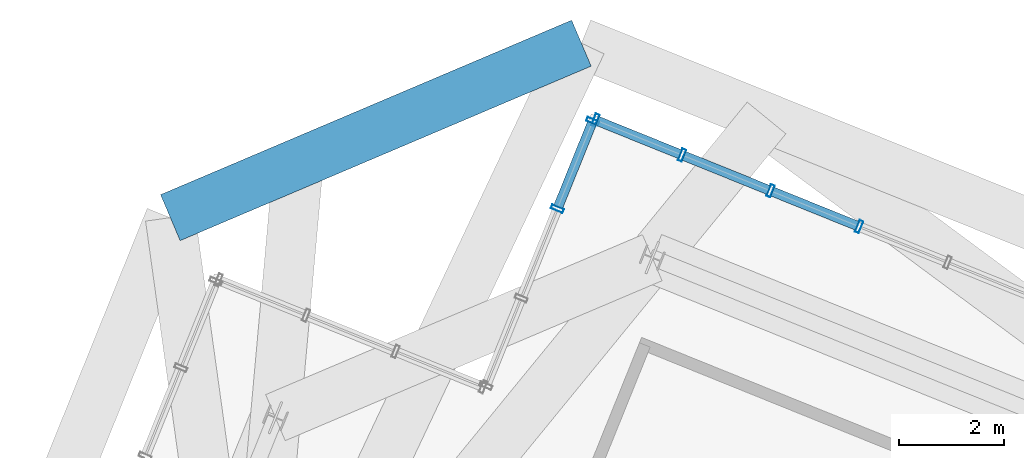
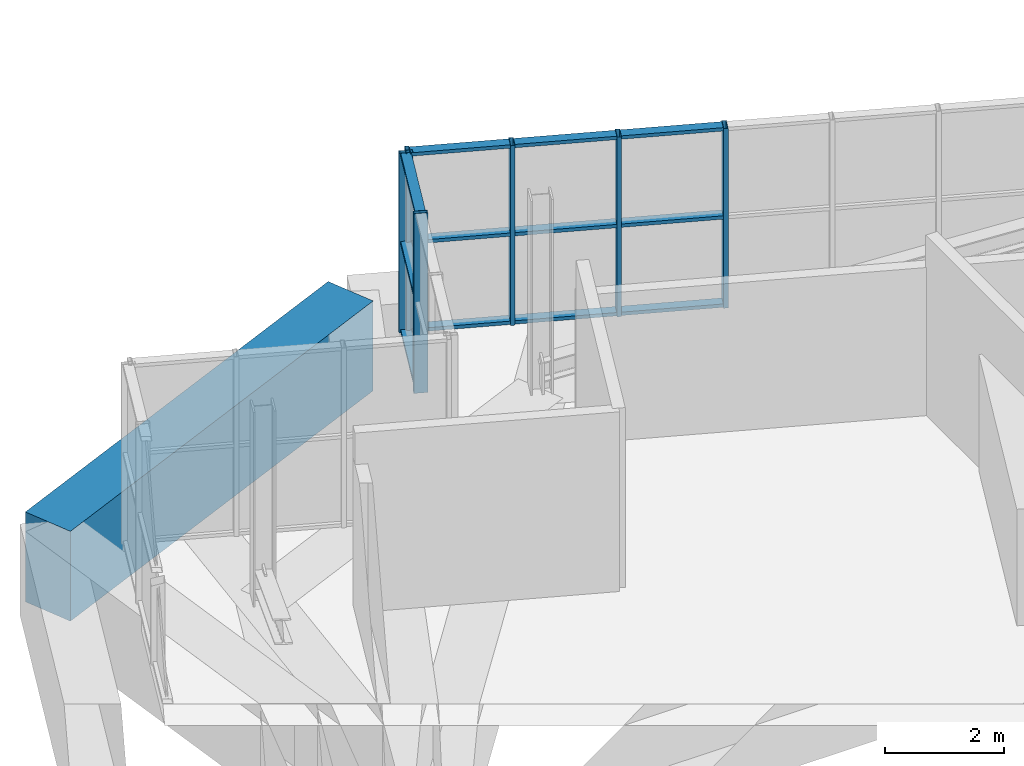
# One storey, part 23 of 35: 18 members, 1 beam, 2 elements without a shape of their own.
"""IFC4 building model written with IfcOpenShell, lengths in metres."""

from ifc_helpers import new_model, si_unit, direction, frame, origin, origin_2d, place, context, subcontext, project, spatial, rectangle, hollow_rectangle, extrude, source, transform, mapped, material, layer, layer_set, material_profile, profile_set, type_object, element, aggregate, save


model = new_model("IFC4")

# Units and contexts
model_context = context("Model", 3, precision=1e-05, world=origin(), true_north=direction((0.0, 1.0)))
body_context = subcontext(model_context, "Body", "Model", "MODEL_VIEW")
ifc_project = project(units=[si_unit("LENGTHUNIT", "METRE"), si_unit("AREAUNIT", "SQUARE_METRE"), si_unit("VOLUMEUNIT", "CUBIC_METRE"), si_unit("PLANEANGLEUNIT", "RADIAN"), si_unit("MASSUNIT", "GRAM", prefix="KILO"), si_unit("THERMODYNAMICTEMPERATUREUNIT", "KELVIN")], contexts=[model_context])

# Site, building, storey
site_placement = place(None, origin())
site = spatial("IfcSite", under=ifc_project, at=site_placement, CompositionType="ELEMENT")
building_placement = place(site_placement, origin())
building = spatial("IfcBuilding", under=site, at=building_placement, Name="Kosmvard Interchange Tower", CompositionType="ELEMENT")
storey_placement = place(building_placement, frame((0.0, 0.0, 321.60009765625)))
storey = spatial("IfcBuildingStorey", under=building, at=storey_placement, Name="L79", CompositionType="ELEMENT", Elevation=321.60009765625)

# Beam
ifc_material_1 = material(Name="Concrete C60/75", Category="concrete")
ifc_material_profile_1 = material_profile(ifc_material_1, rectangle(XDim=0.949951171875, YDim=1.85009765625, at=origin_2d()), Name="TG 950x1850")
ifc_profile_set_1 = profile_set([ifc_material_profile_1], Name="Concrete C60/75")
beam_type = type_object("IfcBeamType", Name="Upper Transfer Ring Girder 950x1850 C60/75", PredefinedType="USERDEFINED", material=ifc_profile_set_1)
shared_shape_1 = source(origin(), body_context, "Body", "SweptSolid", [
    extrude(rectangle(XDim=0.949951171875, YDim=1.85009765625, at=origin_2d()), origin(), (0.0, 0.0, 1.0), 8.4853515625),
])
beam_placement = place(storey_placement, frame((-6.690185546875, 26.61962890625, -0.925048828125), z_axis=(-0.920507159025, -0.390725696857, 0.0), x_axis=(0.390725696857, -0.920507159025, 0.0)))
element("IfcBeam", 1, at=beam_placement, inside=storey, type_object=beam_type, Name="BM-L79-LR06", ObjectType="TRANSFER_GIRDER", PredefinedType="USERDEFINED", context=body_context, shape_type="MappedRepresentation", body=[
    mapped(shared_shape_1, transform((0.0, 0.0, 0.0), scale=1.0)),
])

# Curtain wall, members
ifc_material_2 = material(Name="Architectural anodised aluminium", Category="aluminium")
ifc_layer = layer(ifc_material_2, 0.25, Name="Architectural anodised aluminium")
ifc_layer_set = layer_set([ifc_layer], Name="Architectural anodised aluminium")
curtain_wall_type = type_object("IfcCurtainWallType", Name="CW-6 Illuminated Crown Lantern Curtain Wall", PredefinedType="NOTDEFINED", material=ifc_layer_set)
curtain_wall_1_placement = place(storey_placement, origin())
curtain_wall_1 = element("IfcCurtainWall", 2, at=curtain_wall_1_placement, inside=storey, type_object=curtain_wall_type, Name="L79 Crown Lantern Glazing Face 04", PredefinedType="NOTDEFINED")
ifc_material_profile_2 = material_profile(ifc_material_2, hollow_rectangle(XDim=0.239990234375, YDim=0.080078125, WallThickness=0.006103515625, at=origin_2d()), Name="CWM 240x80x6")
ifc_profile_set_2 = profile_set([ifc_material_profile_2], Name="Architectural anodised aluminium")
member_type_1 = type_object("IfcMemberType", Name="Lantern & Observation CW Mullion 240x80 Aluminium", PredefinedType="MULLION", material=ifc_profile_set_2)
shared_shape_2 = source(origin(), body_context, "Body", "SweptSolid", [
    extrude(hollow_rectangle(XDim=0.239990234375, YDim=0.080078125, WallThickness=0.006103515625, at=origin_2d()), origin(), (0.0, 0.0, 1.0), 3.699951171875),
])
member_1_placement = place(storey_placement, frame((-1.414306640625, 23.13427734375, 0.0), z_axis=(0.0, 0.0, 1.0), x_axis=(-0.374606584758, -0.927183858065, 0.0)))
member_1 = element("IfcMember", 3, at=member_1_placement, type_object=member_type_1, Name="CW-6 mullion 15", PredefinedType="MULLION", context=body_context, shape_type="MappedRepresentation", body=[
    mapped(shared_shape_2, transform((0.0, 0.0, 0.0), scale=1.0)),
])
member_2_placement = place(storey_placement, frame((-3.096435546875, 23.81396484375, 0.0), z_axis=(0.0, 0.0, 1.0), x_axis=(-0.374606584758, -0.927183858065, 0.0)))
member_2 = element("IfcMember", 4, at=member_2_placement, type_object=member_type_1, Name="CW-6 mullion 16", PredefinedType="MULLION", context=body_context, shape_type="MappedRepresentation", body=[
    mapped(shared_shape_2, transform((0.0, 0.0, 0.0), scale=1.0)),
])
member_3_placement = place(storey_placement, frame((-4.7783203125, 24.49365234375, 0.0), z_axis=(0.0, 0.0, 1.0), x_axis=(-0.374606584758, -0.927183858065, 0.0)))
member_3 = element("IfcMember", 5, at=member_3_placement, type_object=member_type_1, Name="CW-6 mullion 17", PredefinedType="MULLION", context=body_context, shape_type="MappedRepresentation", body=[
    mapped(shared_shape_2, transform((0.0, 0.0, 0.0), scale=1.0)),
])
member_4_placement = place(storey_placement, frame((-6.42333984375, 25.158203125, 0.0), z_axis=(0.0, 0.0, 1.0), x_axis=(-0.374606584758, -0.927183858065, 0.0)))
member_4 = element("IfcMember", 6, at=member_4_placement, type_object=member_type_1, Name="CW-6 mullion 18", PredefinedType="MULLION", context=body_context, shape_type="MappedRepresentation", body=[
    mapped(shared_shape_2, transform((0.0, 0.0, 0.0), scale=1.0)),
])

curtain_wall_2_placement = place(storey_placement, origin())
curtain_wall_2 = element("IfcCurtainWall", 7, at=curtain_wall_2_placement, inside=storey, type_object=curtain_wall_type, Name="L79 Crown Lantern Glazing Face 05", PredefinedType="NOTDEFINED")
member_5_placement = place(storey_placement, frame((-6.475341796875, 25.135986328125, 0.0), z_axis=(0.0, 0.0, 1.0), x_axis=(0.92718386612, -0.374606564822, 0.0)))
member_5 = element("IfcMember", 8, at=member_5_placement, type_object=member_type_1, Name="CW-6 mullion 1", PredefinedType="MULLION", context=body_context, shape_type="MappedRepresentation", body=[
    mapped(shared_shape_2, transform((0.0, 0.0, 0.0), scale=1.0)),
])
member_6_placement = place(storey_placement, frame((-7.147216796875, 23.473388671875, 0.0), z_axis=(0.0, 0.0, 1.0), x_axis=(0.92718386612, -0.374606564822, 0.0)))
member_6 = element("IfcMember", 9, at=member_6_placement, type_object=member_type_1, Name="CW-6 mullion 2", PredefinedType="MULLION", context=body_context, shape_type="MappedRepresentation", body=[
    mapped(shared_shape_2, transform((0.0, 0.0, 0.0), scale=1.0)),
])

# Member
ifc_material_profile_3 = material_profile(ifc_material_2, hollow_rectangle(XDim=0.179931640625, YDim=0.070068359375, WallThickness=0.0048828125, at=origin_2d()), Name="CWT 180x70x5")
ifc_profile_set_3 = profile_set([ifc_material_profile_3], Name="Architectural anodised aluminium")
member_type_2 = type_object("IfcMemberType", Name="Heavy Lantern CW Transom 180x70 Aluminium", PredefinedType="USERDEFINED", material=ifc_profile_set_3)
shared_shape_3 = source(origin(), body_context, "Body", "SweptSolid", [
    extrude(hollow_rectangle(XDim=0.179931640625, YDim=0.070068359375, WallThickness=0.0048828125, at=origin_2d()), origin(), (0.0, 0.0, 1.0), 1.694091796875),
])
member_7_placement = place(storey_placement, frame((-4.8154296875, 24.508544921875, 0.034912109375), z_axis=(-0.927209116514, 0.374544061831, 0.0), x_axis=(-0.374544061831, -0.927209116514, 0.0)))
member_7 = element("IfcMember", 10, at=member_7_placement, type_object=member_type_2, Name="CW-6 transom 17.1", ObjectType="TRANSOM", PredefinedType="USERDEFINED", context=body_context, shape_type="MappedRepresentation", body=[
    mapped(shared_shape_3, transform((0.0, 0.0, 0.0), scale=1.0)),
])

member_8_placement = place(storey_placement, frame((-4.8154296875, 24.508544921875, 1.849853515625), z_axis=(-0.927209116514, 0.374544061831, 0.0), x_axis=(-0.374544061831, -0.927209116514, 0.0)))
member_8 = element("IfcMember", 11, at=member_8_placement, type_object=member_type_2, Name="CW-6 transom 17.2", ObjectType="TRANSOM", PredefinedType="USERDEFINED", context=body_context, shape_type="MappedRepresentation", body=[
    mapped(shared_shape_3, transform((0.0, 0.0, 0.0), scale=1.0)),
])

member_9_placement = place(storey_placement, frame((-4.8154296875, 24.508544921875, 3.664794921875), z_axis=(-0.927209116514, 0.374544061831, 0.0), x_axis=(-0.374544061831, -0.927209116514, 0.0)))
member_9 = element("IfcMember", 12, at=member_9_placement, type_object=member_type_2, Name="CW-6 transom 17.3", ObjectType="TRANSOM", PredefinedType="USERDEFINED", context=body_context, shape_type="MappedRepresentation", body=[
    mapped(shared_shape_3, transform((0.0, 0.0, 0.0), scale=1.0)),
])

shared_shape_4 = source(origin(), body_context, "Body", "SweptSolid", [
    extrude(hollow_rectangle(XDim=0.179931640625, YDim=0.070068359375, WallThickness=0.0048828125, at=origin_2d()), origin(), (0.0, 0.0, 1.0), 1.734130859375),
])
member_10_placement = place(storey_placement, frame((-1.451416015625, 23.1494140625, 0.034912109375), z_axis=(-0.927179782522, 0.374616671924, 0.0), x_axis=(-0.374616671924, -0.927179782522, 0.0)))
member_10 = element("IfcMember", 13, at=member_10_placement, type_object=member_type_2, Name="CW-6 transom 15.1", ObjectType="TRANSOM", PredefinedType="USERDEFINED", context=body_context, shape_type="MappedRepresentation", body=[
    mapped(shared_shape_4, transform((0.0, 0.0, 0.0), scale=1.0)),
])

member_11_placement = place(storey_placement, frame((-1.451416015625, 23.1494140625, 1.849853515625), z_axis=(-0.927179782522, 0.374616671924, 0.0), x_axis=(-0.374616671924, -0.927179782522, 0.0)))
member_11 = element("IfcMember", 14, at=member_11_placement, type_object=member_type_2, Name="CW-6 transom 15.2", ObjectType="TRANSOM", PredefinedType="USERDEFINED", context=body_context, shape_type="MappedRepresentation", body=[
    mapped(shared_shape_4, transform((0.0, 0.0, 0.0), scale=1.0)),
])

member_12_placement = place(storey_placement, frame((-1.451416015625, 23.1494140625, 3.664794921875), z_axis=(-0.927179782522, 0.374616671924, 0.0), x_axis=(-0.374616671924, -0.927179782522, 0.0)))
member_12 = element("IfcMember", 15, at=member_12_placement, type_object=member_type_2, Name="CW-6 transom 15.3", ObjectType="TRANSOM", PredefinedType="USERDEFINED", context=body_context, shape_type="MappedRepresentation", body=[
    mapped(shared_shape_4, transform((0.0, 0.0, 0.0), scale=1.0)),
])

shared_shape_5 = source(origin(), body_context, "Body", "SweptSolid", [
    extrude(hollow_rectangle(XDim=0.179931640625, YDim=0.070068359375, WallThickness=0.0048828125, at=origin_2d()), origin(), (0.0, 0.0, 1.0), 1.73388671875),
])
member_13_placement = place(storey_placement, frame((-3.133544921875, 23.828857421875, 0.034912109375), z_axis=(-0.927160021861, 0.374665576032, 0.0), x_axis=(-0.374665576032, -0.927160021861, 0.0)))
member_13 = element("IfcMember", 16, at=member_13_placement, type_object=member_type_2, Name="CW-6 transom 16.1", ObjectType="TRANSOM", PredefinedType="USERDEFINED", context=body_context, shape_type="MappedRepresentation", body=[
    mapped(shared_shape_5, transform((0.0, 0.0, 0.0), scale=1.0)),
])

member_14_placement = place(storey_placement, frame((-3.133544921875, 23.828857421875, 1.849853515625), z_axis=(-0.927160021861, 0.374665576032, 0.0), x_axis=(-0.374665576032, -0.927160021861, 0.0)))
member_14 = element("IfcMember", 17, at=member_14_placement, type_object=member_type_2, Name="CW-6 transom 16.2", ObjectType="TRANSOM", PredefinedType="USERDEFINED", context=body_context, shape_type="MappedRepresentation", body=[
    mapped(shared_shape_5, transform((0.0, 0.0, 0.0), scale=1.0)),
])

member_15_placement = place(storey_placement, frame((-3.133544921875, 23.828857421875, 3.664794921875), z_axis=(-0.927160021861, 0.374665576032, 0.0), x_axis=(-0.374665576032, -0.927160021861, 0.0)))
member_15 = element("IfcMember", 18, at=member_15_placement, type_object=member_type_2, Name="CW-6 transom 16.3", ObjectType="TRANSOM", PredefinedType="USERDEFINED", context=body_context, shape_type="MappedRepresentation", body=[
    mapped(shared_shape_5, transform((0.0, 0.0, 0.0), scale=1.0)),
])

aggregate(curtain_wall_1, [member_1, member_2, member_3, member_4, member_10, member_11, member_12, member_13, member_14, member_15, member_7, member_8, member_9])

shared_shape_6 = source(origin(), body_context, "Body", "SweptSolid", [
    extrude(hollow_rectangle(XDim=0.179931640625, YDim=0.070068359375, WallThickness=0.0048828125, at=origin_2d()), origin(), (0.0, 0.0, 1.0), 1.71337890625),
])
member_16_placement = place(storey_placement, frame((-6.490478515625, 25.098876953125, 0.034912109375), z_axis=(-0.374484254265, -0.927233273404, 0.0), x_axis=(0.927233273404, -0.374484254265, 0.0)))
member_16 = element("IfcMember", 19, at=member_16_placement, type_object=member_type_2, Name="CW-6 transom 1.1", ObjectType="TRANSOM", PredefinedType="USERDEFINED", context=body_context, shape_type="MappedRepresentation", body=[
    mapped(shared_shape_6, transform((0.0, 0.0, 0.0), scale=1.0)),
])

member_17_placement = place(storey_placement, frame((-6.490478515625, 25.098876953125, 1.849853515625), z_axis=(-0.374484254265, -0.927233273404, 0.0), x_axis=(0.927233273404, -0.374484254265, 0.0)))
member_17 = element("IfcMember", 20, at=member_17_placement, type_object=member_type_2, Name="CW-6 transom 1.2", ObjectType="TRANSOM", PredefinedType="USERDEFINED", context=body_context, shape_type="MappedRepresentation", body=[
    mapped(shared_shape_6, transform((0.0, 0.0, 0.0), scale=1.0)),
])

member_18_placement = place(storey_placement, frame((-6.490478515625, 25.098876953125, 3.664794921875), z_axis=(-0.374484254265, -0.927233273404, 0.0), x_axis=(0.927233273404, -0.374484254265, 0.0)))
member_18 = element("IfcMember", 21, at=member_18_placement, type_object=member_type_2, Name="CW-6 transom 1.3", ObjectType="TRANSOM", PredefinedType="USERDEFINED", context=body_context, shape_type="MappedRepresentation", body=[
    mapped(shared_shape_6, transform((0.0, 0.0, 0.0), scale=1.0)),
])

aggregate(curtain_wall_2, [member_5, member_6, member_16, member_17, member_18])

save(model, "model.ifc")
